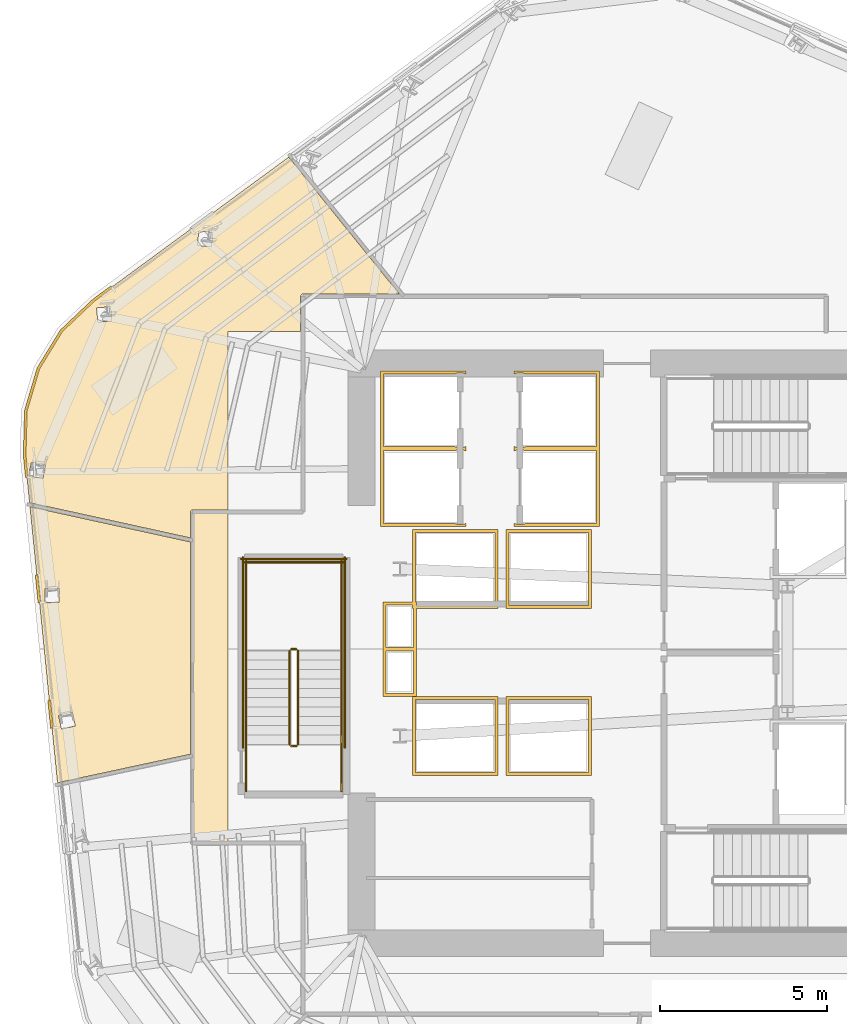
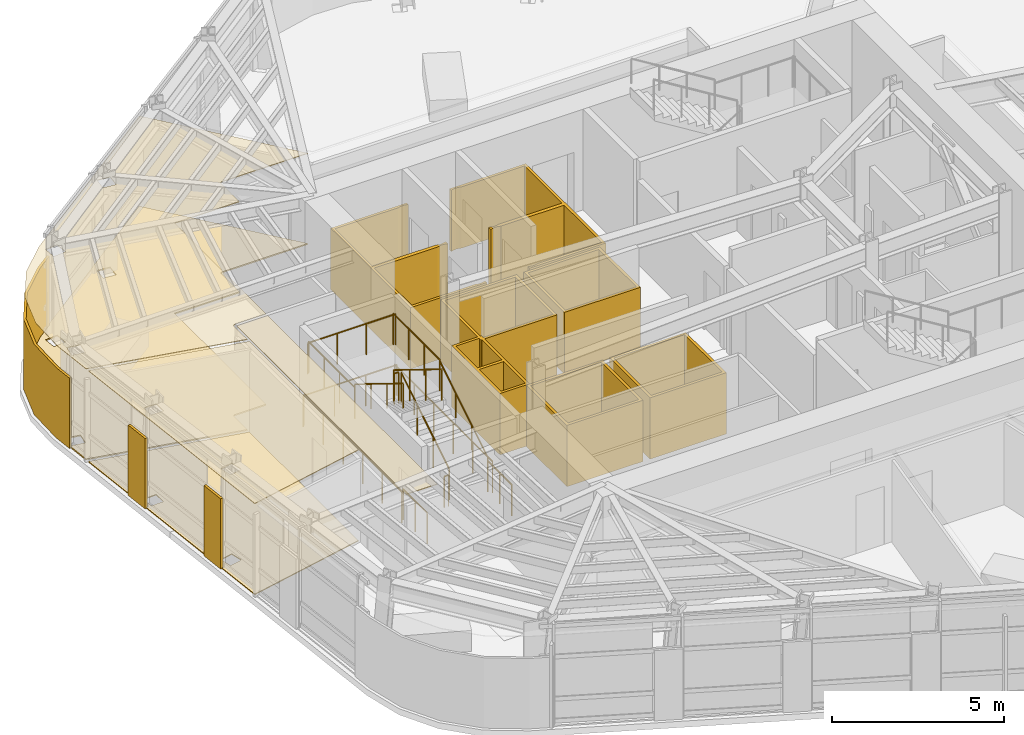
# One storey, part 11 of 14: 14 coverings, 14 railings.
"""IFC4 building model written with IfcOpenShell, lengths in metres."""

from ifc_helpers import new_model, si_unit, direction, frame, origin, origin_2d, place, context, subcontext, project, spatial, polyline, circle, outline, extrude, material, layer, layer_set, type_object, element, save


model = new_model("IFC4")

# Units and contexts
model_context = context("Model", 3, precision=1e-05, world=origin(), true_north=direction((0.0, 1.0)))
body_context = subcontext(model_context, "Body", "Model", "MODEL_VIEW")
ifc_project = project(units=[si_unit("LENGTHUNIT", "METRE"), si_unit("AREAUNIT", "SQUARE_METRE"), si_unit("VOLUMEUNIT", "CUBIC_METRE"), si_unit("PLANEANGLEUNIT", "RADIAN"), si_unit("MASSUNIT", "GRAM", prefix="KILO")], contexts=[model_context])

# Site, building, storey
site_placement = place(None, origin())
site = spatial("IfcSite", under=ifc_project, at=site_placement, CompositionType="ELEMENT")
building_placement = place(site_placement, origin())
building = spatial("IfcBuilding", under=site, at=building_placement, Name="Valkerne Bourse Tower", CompositionType="ELEMENT")
storey_placement = place(building_placement, frame((0.0, 0.0, 178.0)))
storey = spatial("IfcBuildingStorey", under=building, at=storey_placement, Name="L45", CompositionType="ELEMENT", Elevation=178.0)

# Coverings
ifc_material_1 = material(Name="Mineral Fiber Acoustic Ceiling Tile", Category="acoustic")
ifc_layer_1 = layer(ifc_material_1, 0.02490234375)
ifc_layer_set_1 = layer_set([ifc_layer_1], Name="Mineral Fiber Acoustic Ceiling Tile")
covering_type_1 = type_object("IfcCoveringType", Name="COV-CEIL-ACT", PredefinedType="CEILING", material=ifc_layer_set_1)
covering_1_placement = place(storey_placement, frame((0.0, 0.0, 3.22998046875)))
element("IfcCovering", 1, at=covering_1_placement, inside=storey, type_object=covering_type_1, Name="L45 Suspended Ceiling 04", PredefinedType="CEILING", context=body_context, shape_type="SweptSolid", body=[
    extrude(outline(polyline([(32.48095703125, 23.856689453125), (28.50439453125, 23.002685546875), (27.6796875, 31.260986328125), (32.48095703125, 30.208984375), (32.48095703125, 23.856689453125)]), holes=[polyline([(29.035400390625, 24.70654296875), (28.946044921875, 25.110107421875), (28.531494140625, 25.018798828125), (28.53173828125, 25.01611328125), (28.62109375, 24.612548828125), (29.03564453125, 24.7041015625), (29.035400390625, 24.70654296875)]), polyline([(28.553955078125, 28.4033203125), (28.548828125, 28.81640625), (28.124267578125, 28.8115234375), (28.1240234375, 28.808837890625), (28.129150390625, 28.3955078125), (28.5537109375, 28.400634765625), (28.553955078125, 28.4033203125)])]), origin(), (0.0, 0.0, 1.0), 0.02490234375),
])
covering_2_placement = place(storey_placement, frame((0.0, 0.0, 3.22998046875)))
element("IfcCovering", 2, at=covering_2_placement, inside=storey, type_object=covering_type_1, Name="L45 Suspended Ceiling 09", PredefinedType="CEILING", context=body_context, shape_type="SweptSolid", body=[
    extrude(outline(polyline([(27.93505859375, 35.399169921875), (28.62451171875, 36.5244140625), (29.5888671875, 37.439453125), (35.42333984375, 41.724609375), (35.681396484375, 41.4052734375), (35.677734375, 41.393310546875), (35.69580078125, 41.387451171875), (38.7333984375, 37.62890625), (35.849365234375, 37.62890625), (35.81396484375, 37.618896484375), (35.787353515625, 37.589111328125), (35.781005859375, 37.560302734375), (35.781005859375, 36.5), (33.60009765625, 36.5), (33.60009765625, 31.16748046875), (32.532470703125, 31.1669921875), (32.494873046875, 31.1416015625), (32.481201171875, 31.1044921875), (32.48095703125, 30.32958984375), (27.667236328125, 31.384521484375), (27.525390625, 32.804931640625), (27.560302734375, 34.134033203125), (27.93505859375, 35.399169921875)]), holes=[polyline([(28.14013671875, 32.51806640625), (27.72216796875, 32.5927734375), (27.721435546875, 32.590087890625), (27.64892578125, 32.183349609375), (28.06689453125, 32.108642578125), (28.067626953125, 32.111328125), (28.14013671875, 32.51806640625)]), polyline([(30.1240234375, 36.826904296875), (30.086181640625, 37.248779296875), (29.673828125, 37.21337890625), (29.672607421875, 37.2109375), (29.710205078125, 36.788818359375), (30.12255859375, 36.824462890625), (30.1240234375, 36.826904296875)]), polyline([(33.14697265625, 39.466796875), (32.735107421875, 39.50927734375), (32.7333984375, 39.50732421875), (32.69091796875, 39.085693359375), (33.102783203125, 39.04296875), (33.1044921875, 39.044921875), (33.14697265625, 39.466796875)])]), origin(), (0.0, 0.0, 1.0), 0.02490234375),
])
ifc_material_2 = material(Name="Bronze Anodised Aluminium AA 6063-T6", Category="aluminium")
ifc_layer_2 = layer(ifc_material_2, 0.030029296875)
ifc_layer_set_2 = layer_set([ifc_layer_2], Name="Bronze Anodised Aluminium AA 6063-T6")
covering_type_2 = type_object("IfcCoveringType", Name="COV-CEIL-METAL", PredefinedType="CEILING", material=ifc_layer_set_2)
covering_3_placement = place(storey_placement, frame((0.0, 0.0, 3.22998046875)))
element("IfcCovering", 3, at=covering_3_placement, inside=storey, type_object=covering_type_2, Name="L45 Suspended Ceiling 02", PredefinedType="CEILING", context=body_context, shape_type="SweptSolid", body=[
    extrude(outline(polyline([(32.553955078125, 21.2041015625), (32.553955078125, 31.095947265625), (33.60009765625, 31.095947265625), (33.60009765625, 21.2041015625), (32.553955078125, 21.2041015625)])), origin(), (0.0, 0.0, 1.0), 0.02490234375),
])
ifc_layer_3 = layer(ifc_material_2, 0.06005859375)
ifc_layer_set_3 = layer_set([ifc_layer_3], Name="Bronze Anodised Aluminium AA 6063-T6")
covering_type_3 = type_object("IfcCoveringType", Name="COV-CRN-ALUM", PredefinedType="CLADDING", material=ifc_layer_set_3)
covering_4_placement = place(storey_placement, origin())
element("IfcCovering", 4, at=covering_4_placement, inside=storey, type_object=covering_type_3, Name="L45 Wind-Shaped Corner Aluminium Cladding 11", PredefinedType="CLADDING", context=body_context, shape_type="SweptSolid", body=[
    extrude(outline(polyline([(28.2138671875, 25.468994140625), (28.29345703125, 25.477294921875), (28.376953125, 24.641357421875), (28.29736328125, 24.633056640625), (28.2138671875, 25.468994140625)])), origin(), (0.0, 0.0, 1.0), 2.5),
])
covering_5_placement = place(storey_placement, origin())
element("IfcCovering", 5, at=covering_5_placement, inside=storey, type_object=covering_type_3, Name="L45 Wind-Shaped Corner Aluminium Cladding 12", PredefinedType="CLADDING", context=body_context, shape_type="SweptSolid", body=[
    extrude(outline(polyline([(27.839111328125, 29.22119140625), (27.918701171875, 29.229736328125), (28.002197265625, 28.393798828125), (27.922607421875, 28.385498046875), (27.839111328125, 29.22119140625)])), origin(), (0.0, 0.0, 1.0), 2.5),
])
covering_6_placement = place(storey_placement, origin())
element("IfcCovering", 6, at=covering_6_placement, inside=storey, type_object=covering_type_3, Name="L45 Wind-Shaped Corner Aluminium Cladding 13", PredefinedType="CLADDING", context=body_context, shape_type="SweptSolid", body=[
    extrude(outline(polyline([(27.481201171875, 32.803466796875), (27.516357421875, 34.140869140625), (27.894287109375, 35.417236328125), (28.590087890625, 36.55224609375), (29.560546875, 37.473388671875), (30.099609375, 37.869384765625), (30.146728515625, 37.8046875), (29.612060546875, 37.411865234375), (28.652587890625, 36.50146484375), (27.96826171875, 35.384521484375), (27.59619140625, 34.12841796875), (27.561279296875, 32.806396484375), (27.62744140625, 32.14599609375), (27.5478515625, 32.1376953125), (27.481201171875, 32.803466796875)])), origin(), (0.0, 0.0, 1.0), 2.5),
])
ifc_material_3 = material(Name="Galvanised Painted Steel", Category="steel")
ifc_layer_4 = layer(ifc_material_3, 0.044921875)
ifc_layer_set_4 = layer_set([ifc_layer_4], Name="Galvanised Painted Steel")
covering_type_4 = type_object("IfcCoveringType", Name="COV-FLR-RAF", PredefinedType="FLOORING", material=ifc_layer_set_4)
covering_7_placement = place(storey_placement, origin())
element("IfcCovering", 7, at=covering_7_placement, inside=storey, type_object=covering_type_4, Name="L45 Floor Finish 09", PredefinedType="FLOORING", context=body_context, shape_type="SweptSolid", body=[
    extrude(outline(polyline([(27.93505859375, 35.399169921875), (28.62451171875, 36.5244140625), (29.5888671875, 37.439453125), (35.42333984375, 41.724609375), (35.681396484375, 41.4052734375), (35.677734375, 41.393310546875), (35.69580078125, 41.387451171875), (38.7333984375, 37.62890625), (35.849365234375, 37.62890625), (35.81396484375, 37.618896484375), (35.787353515625, 37.589111328125), (35.781005859375, 37.560302734375), (35.781005859375, 36.5), (33.60009765625, 36.5), (33.60009765625, 31.16748046875), (32.532470703125, 31.1669921875), (32.494873046875, 31.1416015625), (32.481201171875, 31.1044921875), (32.48095703125, 30.32958984375), (27.667236328125, 31.384521484375), (27.525390625, 32.804931640625), (27.560302734375, 34.134033203125), (27.93505859375, 35.399169921875)]), holes=[polyline([(28.14013671875, 32.51806640625), (27.72216796875, 32.5927734375), (27.721435546875, 32.590087890625), (27.64892578125, 32.183349609375), (28.06689453125, 32.108642578125), (28.067626953125, 32.111328125), (28.14013671875, 32.51806640625)]), polyline([(30.1240234375, 36.826904296875), (30.086181640625, 37.248779296875), (29.673828125, 37.21337890625), (29.672607421875, 37.2109375), (29.710205078125, 36.788818359375), (30.12255859375, 36.824462890625), (30.1240234375, 36.826904296875)]), polyline([(33.14697265625, 39.466796875), (32.735107421875, 39.50927734375), (32.7333984375, 39.50732421875), (32.69091796875, 39.085693359375), (33.102783203125, 39.04296875), (33.1044921875, 39.044921875), (33.14697265625, 39.466796875)])]), origin(), (0.0, 0.0, 1.0), 0.044921875),
])
ifc_material_4 = material(Name="Polished Granite Stone", Category="masonry")
ifc_layer_5 = layer(ifc_material_4, 0.030029296875)
ifc_layer_set_5 = layer_set([ifc_layer_5], Name="Polished Granite Stone")
covering_type_5 = type_object("IfcCoveringType", Name="COV-FLR-TERRAZZO", PredefinedType="FLOORING", material=ifc_layer_set_5)
covering_8_placement = place(storey_placement, origin())
element("IfcCovering", 8, at=covering_8_placement, inside=storey, type_object=covering_type_5, Name="L45 Floor Finish 04", PredefinedType="FLOORING", context=body_context, shape_type="SweptSolid", body=[
    extrude(outline(polyline([(32.48095703125, 23.856689453125), (28.50439453125, 23.002685546875), (27.6796875, 31.260986328125), (32.48095703125, 30.208984375), (32.48095703125, 23.856689453125)]), holes=[polyline([(29.035400390625, 24.70654296875), (28.946044921875, 25.110107421875), (28.531494140625, 25.018798828125), (28.53173828125, 25.01611328125), (28.62109375, 24.612548828125), (29.03564453125, 24.7041015625), (29.035400390625, 24.70654296875)]), polyline([(28.553955078125, 28.4033203125), (28.548828125, 28.81640625), (28.124267578125, 28.8115234375), (28.1240234375, 28.808837890625), (28.129150390625, 28.3955078125), (28.5537109375, 28.400634765625), (28.553955078125, 28.4033203125)])]), origin(), (0.0, 0.0, 1.0), 0.030029296875),
])
ifc_material_5 = material(Name="Gypsum Shaftwall Liner Board", Category="gypsum")
ifc_layer_6 = layer(ifc_material_5, 0.080078125)
ifc_layer_set_6 = layer_set([ifc_layer_6], Name="Gypsum Shaftwall Liner Board")
covering_type_6 = type_object("IfcCoveringType", Name="COV-SHF-CLAD", PredefinedType="CLADDING", material=ifc_layer_set_6)
covering_9_placement = place(storey_placement, origin())
element("IfcCovering", 9, at=covering_9_placement, inside=storey, type_object=covering_type_6, Name="L45 Hoistway & Riser Shaftwall Liner 01", PredefinedType="CLADDING", context=body_context, shape_type="SweptSolid", body=[
    extrude(outline(polyline([(41.679931640625, 25.580078125), (41.679931640625, 23.219970703125), (39.1201171875, 23.219970703125), (39.1201171875, 25.580078125), (41.679931640625, 25.580078125)]), holes=[polyline([(41.590087890625, 25.489990234375), (39.2099609375, 25.489990234375), (39.2099609375, 23.31005859375), (41.590087890625, 23.31005859375), (41.590087890625, 25.489990234375)])]), origin(), (0.0, 0.0, 1.0), 2.179931640625),
])
covering_10_placement = place(storey_placement, origin())
element("IfcCovering", 10, at=covering_10_placement, inside=storey, type_object=covering_type_6, Name="L45 Hoistway & Riser Shaftwall Liner 02", PredefinedType="CLADDING", context=body_context, shape_type="SweptSolid", body=[
    extrude(outline(polyline([(44.47998046875, 23.219970703125), (41.919921875, 23.219970703125), (41.919921875, 25.580078125), (44.47998046875, 25.580078125), (44.47998046875, 23.219970703125)]), holes=[polyline([(42.010009765625, 25.489990234375), (42.010009765625, 23.31005859375), (44.389892578125, 23.31005859375), (44.389892578125, 25.489990234375), (42.010009765625, 25.489990234375)])]), origin(), (0.0, 0.0, 1.0), 2.179931640625),
])
covering_11_placement = place(storey_placement, origin())
element("IfcCovering", 11, at=covering_11_placement, inside=storey, type_object=covering_type_6, Name="L45 Hoistway & Riser Shaftwall Liner 03", PredefinedType="CLADDING", context=body_context, shape_type="SweptSolid", body=[
    extrude(outline(polyline([(38.239990234375, 28.409912109375), (39.1201171875, 28.409912109375), (39.1201171875, 30.580078125), (41.679931640625, 30.580078125), (41.679931640625, 28.219970703125), (39.239990234375, 28.219970703125), (39.239990234375, 27.0400390625), (39.239990234375, 26.9599609375), (39.239990234375, 25.590087890625), (38.239990234375, 25.590087890625), (38.239990234375, 26.9599609375), (38.239990234375, 27.0400390625), (38.239990234375, 28.409912109375)]), holes=[polyline([(38.330078125, 26.949951171875), (38.330078125, 25.679931640625), (39.14990234375, 25.679931640625), (39.14990234375, 26.949951171875), (38.330078125, 26.949951171875)]), polyline([(39.2099609375, 30.489990234375), (39.2099609375, 28.409912109375), (39.239990234375, 28.409912109375), (39.239990234375, 28.31005859375), (41.590087890625, 28.31005859375), (41.590087890625, 30.489990234375), (39.2099609375, 30.489990234375)]), polyline([(38.330078125, 27.050048828125), (39.14990234375, 27.050048828125), (39.14990234375, 28.219970703125), (39.1201171875, 28.219970703125), (39.1201171875, 28.320068359375), (38.330078125, 28.320068359375), (38.330078125, 27.050048828125)])]), origin(), (0.0, 0.0, 1.0), 2.179931640625),
])
covering_12_placement = place(storey_placement, origin())
element("IfcCovering", 12, at=covering_12_placement, inside=storey, type_object=covering_type_6, Name="L45 Hoistway & Riser Shaftwall Liner 04", PredefinedType="CLADDING", context=body_context, shape_type="SweptSolid", body=[
    extrude(outline(polyline([(38.169921875, 35.330078125), (40.72998046875, 35.330078125), (40.72998046875, 35.232177734375), (40.72216796875, 35.235595703125), (40.6806640625, 35.25048828125), (40.6376953125, 35.261474609375), (40.593994140625, 35.267822265625), (40.550048828125, 35.27001953125), (40.505859375, 35.267822265625), (40.462158203125, 35.261474609375), (40.41943359375, 35.25048828125), (40.3896484375, 35.239990234375), (38.260009765625, 35.239990234375), (38.260009765625, 33.06005859375), (40.3896484375, 33.06005859375), (40.41943359375, 33.04931640625), (40.462158203125, 33.03857421875), (40.505859375, 33.0322265625), (40.550048828125, 33.030029296875), (40.593994140625, 33.0322265625), (40.6376953125, 33.03857421875), (40.6806640625, 33.04931640625), (40.72216796875, 33.064208984375), (40.72998046875, 33.06787109375), (40.72998046875, 33.030029296875), (40.72998046875, 32.969970703125), (40.72998046875, 32.93212890625), (40.72216796875, 32.935791015625), (40.6806640625, 32.95068359375), (40.6376953125, 32.96142578125), (40.593994140625, 32.9677734375), (40.550048828125, 32.969970703125), (40.505859375, 32.9677734375), (40.462158203125, 32.96142578125), (40.41943359375, 32.95068359375), (40.3896484375, 32.93994140625), (38.260009765625, 32.93994140625), (38.260009765625, 30.760009765625), (40.3896484375, 30.760009765625), (40.41943359375, 30.74951171875), (40.462158203125, 30.738525390625), (40.505859375, 30.732177734375), (40.550048828125, 30.72998046875), (40.593994140625, 30.732177734375), (40.6376953125, 30.738525390625), (40.6806640625, 30.74951171875), (40.72216796875, 30.764404296875), (40.72998046875, 30.767822265625), (40.72998046875, 30.669921875), (38.169921875, 30.669921875), (38.169921875, 32.969970703125), (38.169921875, 33.030029296875), (38.169921875, 35.330078125)])), origin(), (0.0, 0.0, 1.0), 2.179931640625),
])
covering_13_placement = place(storey_placement, origin())
element("IfcCovering", 13, at=covering_13_placement, inside=storey, type_object=covering_type_6, Name="L45 Hoistway & Riser Shaftwall Liner 07", PredefinedType="CLADDING", context=body_context, shape_type="SweptSolid", body=[
    extrude(outline(polyline([(44.47998046875, 28.219970703125), (41.919921875, 28.219970703125), (41.919921875, 30.580078125), (44.47998046875, 30.580078125), (44.47998046875, 28.219970703125)]), holes=[polyline([(42.010009765625, 30.489990234375), (42.010009765625, 28.31005859375), (44.389892578125, 28.31005859375), (44.389892578125, 30.489990234375), (42.010009765625, 30.489990234375)])]), origin(), (0.0, 0.0, 1.0), 2.179931640625),
])
covering_14_placement = place(storey_placement, origin())
element("IfcCovering", 14, at=covering_14_placement, inside=storey, type_object=covering_type_6, Name="L45 Hoistway & Riser Shaftwall Liner 09", PredefinedType="CLADDING", context=body_context, shape_type="SweptSolid", body=[
    extrude(outline(polyline([(42.169921875, 33.06787109375), (42.177734375, 33.064208984375), (42.219482421875, 33.04931640625), (42.26220703125, 33.03857421875), (42.305908203125, 33.0322265625), (42.35009765625, 33.030029296875), (42.39404296875, 33.0322265625), (42.437744140625, 33.03857421875), (42.480712890625, 33.04931640625), (42.51025390625, 33.06005859375), (44.639892578125, 33.06005859375), (44.639892578125, 35.239990234375), (42.51025390625, 35.239990234375), (42.480712890625, 35.25048828125), (42.437744140625, 35.261474609375), (42.39404296875, 35.267822265625), (42.35009765625, 35.27001953125), (42.305908203125, 35.267822265625), (42.26220703125, 35.261474609375), (42.219482421875, 35.25048828125), (42.177734375, 35.235595703125), (42.169921875, 35.232177734375), (42.169921875, 35.330078125), (44.72998046875, 35.330078125), (44.72998046875, 33.030029296875), (44.72998046875, 32.969970703125), (44.72998046875, 30.669921875), (42.169921875, 30.669921875), (42.169921875, 30.767822265625), (42.177734375, 30.764404296875), (42.219482421875, 30.74951171875), (42.26220703125, 30.738525390625), (42.305908203125, 30.732177734375), (42.35009765625, 30.72998046875), (42.39404296875, 30.732177734375), (42.437744140625, 30.738525390625), (42.480712890625, 30.74951171875), (42.51025390625, 30.760009765625), (44.639892578125, 30.760009765625), (44.639892578125, 32.93994140625), (42.51025390625, 32.93994140625), (42.480712890625, 32.95068359375), (42.437744140625, 32.96142578125), (42.39404296875, 32.9677734375), (42.35009765625, 32.969970703125), (42.305908203125, 32.9677734375), (42.26220703125, 32.96142578125), (42.219482421875, 32.95068359375), (42.177734375, 32.935791015625), (42.169921875, 32.93212890625), (42.169921875, 32.969970703125), (42.169921875, 33.030029296875), (42.169921875, 33.06787109375)])), origin(), (0.0, 0.0, 1.0), 2.179931640625),
])

# Railings
railing_type_1 = type_object("IfcRailingType", Name="RLG-ST-GUARD-1120", PredefinedType="GUARDRAIL", material=ifc_material_3)
railing_1_placement = place(storey_placement, frame((35.699951171875, 24.14990234375, 0.172607421875)))
element("IfcRailing", 15, at=railing_1_placement, inside=storey, type_object=railing_type_1, Name="L45 ST-3 stair guard 1", PredefinedType="GUARDRAIL", context=body_context, shape_type="SweptSolid", body=[
    extrude(circle(Radius=0.02392578125, at=origin_2d()), frame((0.0, 0.0, 1.09619140625), z_axis=(0.0, 0.851089632645, 0.525020415988), x_axis=(-1.0, 0.0, 0.0)), (0.0, 0.0, 1.0), 3.2900390625),
    extrude(circle(Radius=0.02099609375, at=origin_2d()), origin(), (0.0, 0.0, 1.0), 1.072021484375),
    extrude(circle(Radius=0.02099609375, at=origin_2d()), frame((0.0, 0.933349609375, 0.57568359375)), (0.0, 0.0, 1.0), 1.072021484375),
    extrude(circle(Radius=0.02099609375, at=origin_2d()), frame((0.0, 1.86669921875, 1.151611328125)), (0.0, 0.0, 1.0), 1.072021484375),
    extrude(circle(Radius=0.02099609375, at=origin_2d()), frame((0.0, 2.800048828125, 1.727294921875)), (0.0, 0.0, 1.0), 1.072021484375),
])
railing_2_placement = place(storey_placement, frame((35.64990234375, 27.0, 1.89990234375)))
element("IfcRailing", 16, at=railing_2_placement, inside=storey, type_object=railing_type_1, Name="L45 ST-3 stair guard 2", PredefinedType="GUARDRAIL", context=body_context, shape_type="SweptSolid", body=[
    extrude(circle(Radius=0.02392578125, at=origin_2d()), frame((0.0, 0.0, 1.09619140625), z_axis=(-1.0, 0.0, 0.0), x_axis=(0.0, -1.0, 0.0)), (0.0, 0.0, 1.0), 0.14990234375),
    extrude(circle(Radius=0.02099609375, at=origin_2d()), origin(), (0.0, 0.0, 1.0), 1.072021484375),
    extrude(circle(Radius=0.02099609375, at=origin_2d()), frame((-0.14990234375, 0.0, 0.0)), (0.0, 0.0, 1.0), 1.072021484375),
])
for number, where, name in (
    (17, (37.0, 26.949951171875, 1.89990234375), "L45 ST-3 stair guard 3"),
    (18, (34.14990234375, 26.949951171875, 1.89990234375), "L45 ST-3 stair guard 4"),
):
    element("IfcRailing", number, at=place(storey_placement, frame(where)), inside=storey, type_object=railing_type_1, Name=name, PredefinedType="GUARDRAIL", context=body_context, shape_type="SweptSolid", body=[
        extrude(circle(Radius=0.02392578125, at=origin_2d()), frame((0.0, 0.0, 1.09619140625), z_axis=(0.0, 1.0, 0.0), x_axis=(-1.0, 0.0, 0.0)), (0.0, 0.0, 1.0), 2.699951171875),
        extrude(circle(Radius=0.02099609375, at=origin_2d()), origin(), (0.0, 0.0, 1.0), 1.072021484375),
        extrude(circle(Radius=0.02099609375, at=origin_2d()), frame((0.0, 0.89990234375, 0.0)), (0.0, 0.0, 1.0), 1.072021484375),
        extrude(circle(Radius=0.02099609375, at=origin_2d()), frame((0.0, 1.800048828125, 0.0)), (0.0, 0.0, 1.0), 1.072021484375),
        extrude(circle(Radius=0.02099609375, at=origin_2d()), frame((0.0, 2.699951171875, 0.0)), (0.0, 0.0, 1.0), 1.072021484375),
    ])
railing_3_placement = place(storey_placement, frame((37.050048828125, 29.60009765625, 1.89990234375)))
element("IfcRailing", 19, at=railing_3_placement, inside=storey, type_object=railing_type_1, Name="L45 ST-3 stair guard 5", PredefinedType="GUARDRAIL", context=body_context, shape_type="SweptSolid", body=[
    extrude(circle(Radius=0.02392578125, at=origin_2d()), frame((0.0, 0.0, 1.09619140625), z_axis=(-1.0, 0.0, 0.0), x_axis=(0.0, -1.0, 0.0)), (0.0, 0.0, 1.0), 2.949951171875),
    extrude(circle(Radius=0.02099609375, at=origin_2d()), origin(), (0.0, 0.0, 1.0), 1.072021484375),
    extrude(circle(Radius=0.02099609375, at=origin_2d()), frame((-0.9833984375, 0.0, 0.0)), (0.0, 0.0, 1.0), 1.072021484375),
    extrude(circle(Radius=0.02099609375, at=origin_2d()), frame((-1.966552734375, 0.0, 0.0)), (0.0, 0.0, 1.0), 1.072021484375),
    extrude(circle(Radius=0.02099609375, at=origin_2d()), frame((-2.949951171875, 0.0, 0.0)), (0.0, 0.0, 1.0), 1.072021484375),
])
railing_4_placement = place(storey_placement, frame((35.449951171875, 26.949951171875, 2.07275390625)))
element("IfcRailing", 20, at=railing_4_placement, inside=storey, type_object=railing_type_1, Name="L45 ST-3 stair guard 6", PredefinedType="GUARDRAIL", context=body_context, shape_type="SweptSolid", body=[
    extrude(circle(Radius=0.02392578125, at=origin_2d()), frame((0.0, 0.0, 1.09619140625), z_axis=(0.0, -0.851089632645, 0.525020415988), x_axis=(1.0, 0.0, 0.0)), (0.0, 0.0, 1.0), 3.2900390625),
    extrude(circle(Radius=0.02099609375, at=origin_2d()), origin(), (0.0, 0.0, 1.0), 1.072021484375),
    extrude(circle(Radius=0.02099609375, at=origin_2d()), frame((0.0, -0.933349609375, 0.57568359375)), (0.0, 0.0, 1.0), 1.072021484375),
    extrude(circle(Radius=0.02099609375, at=origin_2d()), frame((0.0, -1.86669921875, 1.151611328125)), (0.0, 0.0, 1.0), 1.072021484375),
    extrude(circle(Radius=0.02099609375, at=origin_2d()), frame((0.0, -2.800048828125, 1.727294921875)), (0.0, 0.0, 1.0), 1.072021484375),
])
railing_5_placement = place(storey_placement, frame((35.64990234375, 24.10009765625, 0.0)))
element("IfcRailing", 21, at=railing_5_placement, inside=storey, type_object=railing_type_1, Name="L45 ST-3 stair guard 7", PredefinedType="GUARDRAIL", context=body_context, shape_type="SweptSolid", body=[
    extrude(circle(Radius=0.02392578125, at=origin_2d()), frame((0.0, 0.0, 1.09619140625), z_axis=(-1.0, 0.0, 0.0), x_axis=(0.0, -1.0, 0.0)), (0.0, 0.0, 1.0), 0.14990234375),
    extrude(circle(Radius=0.02099609375, at=origin_2d()), origin(), (0.0, 0.0, 1.0), 1.072021484375),
    extrude(circle(Radius=0.02099609375, at=origin_2d()), frame((-0.14990234375, 0.0, 0.0)), (0.0, 0.0, 1.0), 1.072021484375),
])
for number, where, name in (
    (22, (37.0, 22.75, 0.0), "L45 ST-3 stair guard 8"),
    (23, (34.14990234375, 22.75, 0.0), "L45 ST-3 stair guard 9"),
):
    element("IfcRailing", number, at=place(storey_placement, frame(where)), inside=storey, type_object=railing_type_1, Name=name, PredefinedType="GUARDRAIL", context=body_context, shape_type="SweptSolid", body=[
        extrude(circle(Radius=0.02392578125, at=origin_2d()), frame((0.0, 0.0, 1.09619140625), z_axis=(0.0, 1.0, 0.0), x_axis=(-1.0, 0.0, 0.0)), (0.0, 0.0, 1.0), 1.39990234375),
        extrude(circle(Radius=0.02099609375, at=origin_2d()), origin(), (0.0, 0.0, 1.0), 1.072021484375),
        extrude(circle(Radius=0.02099609375, at=origin_2d()), frame((0.0, 0.699951171875, 0.0)), (0.0, 0.0, 1.0), 1.072021484375),
        extrude(circle(Radius=0.02099609375, at=origin_2d()), frame((0.0, 1.39990234375, 0.0)), (0.0, 0.0, 1.0), 1.072021484375),
    ])
for number, where, name in (
    (24, (37.10009765625, 24.050048828125, 0.0), "L45 ST-3 stair guard 10"),
    (25, (34.050048828125, 24.050048828125, 0.0), "L45 ST-3 stair guard 11"),
):
    element("IfcRailing", number, at=place(storey_placement, frame(where)), inside=storey, type_object=railing_type_1, Name=name, PredefinedType="GUARDRAIL", context=body_context, shape_type="SweptSolid", body=[
        extrude(circle(Radius=0.02392578125, at=origin_2d()), frame((0.0, 0.0, 1.09619140625), z_axis=(0.0, 1.0, 0.0), x_axis=(-1.0, 0.0, 0.0)), (0.0, 0.0, 1.0), 5.699951171875),
        extrude(circle(Radius=0.02099609375, at=origin_2d()), origin(), (0.0, 0.0, 1.0), 1.072021484375),
        extrude(circle(Radius=0.02099609375, at=origin_2d()), frame((0.0, 1.139892578125, 0.0)), (0.0, 0.0, 1.0), 1.072021484375),
        extrude(circle(Radius=0.02099609375, at=origin_2d()), frame((0.0, 2.280029296875, 0.0)), (0.0, 0.0, 1.0), 1.072021484375),
        extrude(circle(Radius=0.02099609375, at=origin_2d()), frame((0.0, 3.419921875, 0.0)), (0.0, 0.0, 1.0), 1.072021484375),
        extrude(circle(Radius=0.02099609375, at=origin_2d()), frame((0.0, 4.56005859375, 0.0)), (0.0, 0.0, 1.0), 1.072021484375),
        extrude(circle(Radius=0.02099609375, at=origin_2d()), frame((0.0, 5.699951171875, 0.0)), (0.0, 0.0, 1.0), 1.072021484375),
    ])
railing_6_placement = place(storey_placement, frame((37.14990234375, 29.699951171875, 0.0)))
element("IfcRailing", 26, at=railing_6_placement, inside=storey, type_object=railing_type_1, Name="L45 ST-3 stair guard 12", PredefinedType="GUARDRAIL", context=body_context, shape_type="SweptSolid", body=[
    extrude(circle(Radius=0.02392578125, at=origin_2d()), frame((0.0, 0.0, 1.09619140625), z_axis=(-1.0, 0.0, 0.0), x_axis=(0.0, -1.0, 0.0)), (0.0, 0.0, 1.0), 3.14990234375),
    extrude(circle(Radius=0.02099609375, at=origin_2d()), origin(), (0.0, 0.0, 1.0), 1.072021484375),
    extrude(circle(Radius=0.02099609375, at=origin_2d()), frame((-1.050048828125, 0.0, 0.0)), (0.0, 0.0, 1.0), 1.072021484375),
    extrude(circle(Radius=0.02099609375, at=origin_2d()), frame((-2.099853515625, 0.0, 0.0)), (0.0, 0.0, 1.0), 1.072021484375),
    extrude(circle(Radius=0.02099609375, at=origin_2d()), frame((-3.14990234375, 0.0, 0.0)), (0.0, 0.0, 1.0), 1.072021484375),
])
ifc_material_6 = material(Name="Stainless Steel AISI 316", Category="steel")
railing_type_2 = type_object("IfcRailingType", Name="RLG-ST-HANDRAIL-900", PredefinedType="HANDRAIL", material=ifc_material_6)
railing_7_placement = place(storey_placement, frame((37.0, 24.14990234375, 0.345458984375)))
element("IfcRailing", 27, at=railing_7_placement, inside=storey, type_object=railing_type_2, Name="L45 ST-3 stair handrail 1", PredefinedType="HANDRAIL", context=body_context, shape_type="SweptSolid", body=[
    extrude(circle(Radius=0.02392578125, at=origin_2d()), frame((0.0, 0.0, 0.8759765625), z_axis=(0.0, 0.851089632645, 0.525020415988), x_axis=(-1.0, 0.0, 0.0)), (0.0, 0.0, 1.0), 3.2900390625),
    extrude(circle(Radius=0.02099609375, at=origin_2d()), origin(), (0.0, 0.0, 1.0), 0.851806640625),
    extrude(circle(Radius=0.02099609375, at=origin_2d()), frame((0.0, 0.933349609375, 0.57568359375)), (0.0, 0.0, 1.0), 0.851806640625),
    extrude(circle(Radius=0.02099609375, at=origin_2d()), frame((0.0, 1.86669921875, 1.151611328125)), (0.0, 0.0, 1.0), 0.851806640625),
    extrude(circle(Radius=0.02099609375, at=origin_2d()), frame((0.0, 2.800048828125, 1.727294921875)), (0.0, 0.0, 1.0), 0.851806640625),
])
railing_8_placement = place(storey_placement, frame((34.14990234375, 26.949951171875, 2.245361328125)))
element("IfcRailing", 28, at=railing_8_placement, inside=storey, type_object=railing_type_2, Name="L45 ST-3 stair handrail 2", PredefinedType="HANDRAIL", context=body_context, shape_type="SweptSolid", body=[
    extrude(circle(Radius=0.02392578125, at=origin_2d()), frame((0.0, 0.0, 0.8759765625), z_axis=(0.0, -0.851089632645, 0.525020415988), x_axis=(1.0, 0.0, 0.0)), (0.0, 0.0, 1.0), 3.2900390625),
    extrude(circle(Radius=0.02099609375, at=origin_2d()), origin(), (0.0, 0.0, 1.0), 0.851806640625),
    extrude(circle(Radius=0.02099609375, at=origin_2d()), frame((0.0, -0.933349609375, 0.57568359375)), (0.0, 0.0, 1.0), 0.851806640625),
    extrude(circle(Radius=0.02099609375, at=origin_2d()), frame((0.0, -1.86669921875, 1.151611328125)), (0.0, 0.0, 1.0), 0.851806640625),
    extrude(circle(Radius=0.02099609375, at=origin_2d()), frame((0.0, -2.800048828125, 1.727294921875)), (0.0, 0.0, 1.0), 0.851806640625),
])

save(model, "model.ifc")
